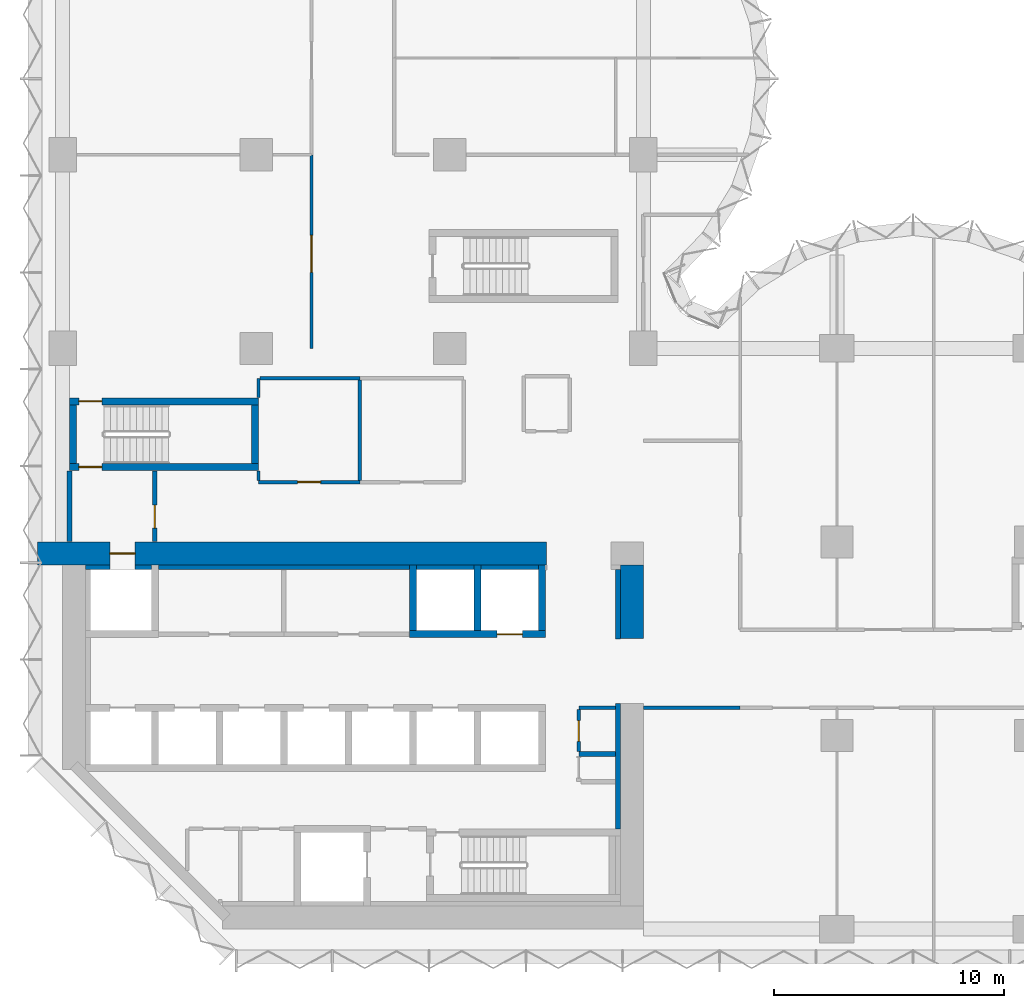
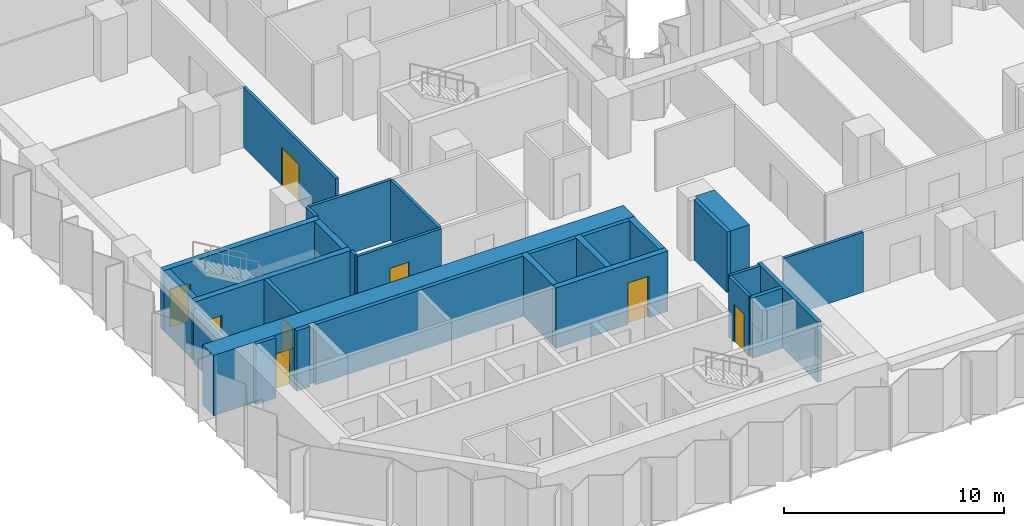
# One storey, part 8 of 15: 29 walls, 8 doors, 8 openings.
"""IFC4 building model written with IfcOpenShell, lengths in metres."""

from ifc_helpers import new_model, si_unit, direction, frame, frame_2d, origin, place, context, subcontext, project, spatial, rectangle, extrude, material, layer, layer_set, type_object, element, fill, save


model = new_model("IFC4")

# Units and contexts
model_context = context("Model", 3, precision=1e-05, world=origin(), true_north=direction((0.0, 1.0)))
body_context = subcontext(model_context, "Body", "Model", "MODEL_VIEW")
ifc_project = project(units=[si_unit("LENGTHUNIT", "METRE"), si_unit("AREAUNIT", "SQUARE_METRE"), si_unit("VOLUMEUNIT", "CUBIC_METRE"), si_unit("PLANEANGLEUNIT", "RADIAN"), si_unit("MASSUNIT", "GRAM", prefix="KILO")], contexts=[model_context])

# Site, building, storey
site_placement = place(None, origin())
site = spatial("IfcSite", under=ifc_project, at=site_placement, CompositionType="ELEMENT")
building_placement = place(site_placement, origin())
building = spatial("IfcBuilding", under=site, at=building_placement, Name="Brevane Broadcast Tower", CompositionType="ELEMENT")
storey_placement = place(building_placement, frame((0.0, 0.0, 72.5)))
storey = spatial("IfcBuildingStorey", under=building, at=storey_placement, Name="L16", CompositionType="ELEMENT", Elevation=72.5)

# Walls
ifc_material_1 = material(Name="Concrete C32/40", Category="concrete")
ifc_layer_1 = layer(ifc_material_1, 0.199951171875)
ifc_layer_set_1 = layer_set([ifc_layer_1], Name="Core chase wall 200 mm")
wall_type_1 = type_object("IfcWallType", Name="Core chase wall 200 mm", PredefinedType="PARTITIONING", material=ifc_layer_set_1)
wall_1_placement = place(storey_placement, frame((24.10009765625, 12.60009765625, 0.0), z_axis=(0.0, 0.0, 1.0), x_axis=(0.0, 1.0, 0.0)))
element("IfcWall", 1, at=wall_1_placement, inside=storey, type_object=wall_type_1, Name="L16 chase wall LE2", PredefinedType="PARTITIONING", context=body_context, shape_type="SweptSolid", body=[
    extrude(rectangle(XDim=3.0, YDim=0.199951171875, at=frame_2d((1.5, 0.0))), origin(), (0.0, 0.0, 1.0), 3.35009765625),
])
wall_2_placement = place(storey_placement, frame((1.0, 15.699951171875, 0.0), z_axis=(0.0, 0.0, 1.0), x_axis=(1.0, 0.0, 0.0)))
element("IfcWall", 2, at=wall_2_placement, inside=storey, type_object=wall_type_1, Name="L16 chase wall LN0", PredefinedType="PARTITIONING", context=body_context, shape_type="SweptSolid", body=[
    extrude(rectangle(XDim=1.050048828125, YDim=0.199951171875, at=frame_2d((0.52490234375, 0.0))), origin(), (0.0, 0.0, 1.0), 3.35009765625),
])
wall_3_placement = place(storey_placement, frame((3.14990234375, 15.699951171875, 0.0), z_axis=(0.0, 0.0, 1.0), x_axis=(1.0, 0.0, 0.0)))
element("IfcWall", 3, at=wall_3_placement, inside=storey, type_object=wall_type_1, Name="L16 chase wall LN1-1", PredefinedType="PARTITIONING", context=body_context, shape_type="SweptSolid", body=[
    extrude(rectangle(XDim=0.7001953125, YDim=0.199951171875, at=frame_2d((0.35009765625, 0.0))), origin(), (0.0, 0.0, 1.0), 3.35009765625),
])
wall_4_placement = place(storey_placement, frame((4.14990234375, 15.699951171875, 0.0), z_axis=(0.0, 0.0, 1.0), x_axis=(1.0, 0.0, 0.0)))
element("IfcWall", 4, at=wall_4_placement, inside=storey, type_object=wall_type_1, Name="L16 chase wall LN1-2-1", PredefinedType="PARTITIONING", context=body_context, shape_type="SweptSolid", body=[
    extrude(rectangle(XDim=10.900146484375, YDim=0.199951171875, at=frame_2d((5.4501953125, 0.0))), origin(), (0.0, 0.0, 1.0), 3.35009765625),
])
for number, where, z_axis, x_axis, name in (
    (5, (15.35009765625, 15.699951171875, 0.0), (0.0, 0.0, 1.0), (1.0, 0.0, 0.0), "L16 chase wall LN1-2-2-1"),
    (6, (18.14990234375, 15.699951171875, 0.0), (0.0, 0.0, 1.0), (1.0, 0.0, 0.0), "L16 chase wall LN1-2-2-2-1"),
):
    element("IfcWall", number, at=place(storey_placement, frame(where, z_axis=z_axis, x_axis=x_axis)), inside=storey, type_object=wall_type_1, Name=name, PredefinedType="PARTITIONING", context=body_context, shape_type="SweptSolid", body=[
        extrude(rectangle(XDim=2.5, YDim=0.199951171875, at=frame_2d((1.25, 0.0))), origin(), (0.0, 0.0, 1.0), 3.35009765625),
    ])
wall_5_placement = place(storey_placement, frame((24.10009765625, 4.35009765625, 0.0), z_axis=(0.0, 0.0, 1.0), x_axis=(0.0, 1.0, 0.0)))
element("IfcWall", 7, at=wall_5_placement, inside=storey, type_object=wall_type_1, Name="L16 chase wall LE1-2-2", PredefinedType="PARTITIONING", context=body_context, shape_type="SweptSolid", body=[
    extrude(rectangle(XDim=5.449951171875, YDim=0.199951171875, at=frame_2d((2.72509765625, 0.0))), origin(), (0.0, 0.0, 1.0), 3.35009765625),
])

# Wall, opening, door
ifc_material_2 = material(Name="Gypsum board on steel studs", Category="steel")
ifc_layer_2 = layer(ifc_material_2, 0.14990234375)
ifc_layer_set_2 = layer_set([ifc_layer_2], Name="Core fire partition 150 mm")
wall_type_2 = type_object("IfcWallType", Name="Core fire partition 150 mm", PredefinedType="PARTITIONING", material=ifc_layer_set_2)
wall_6_placement = place(storey_placement, frame((12.89990234375, 19.39990234375, 0.0), z_axis=(0.0, 0.0, 1.0), x_axis=(-1.0, 0.0, 0.0)))
wall_6 = element("IfcWall", 8, at=wall_6_placement, inside=storey, type_object=wall_type_2, Name="L16 partition wall P15", PredefinedType="PARTITIONING", context=body_context, shape_type="SweptSolid", body=[
    extrude(rectangle(XDim=4.39990234375, YDim=0.14990234375, at=frame_2d((2.199951171875, 0.0))), origin(), (0.0, 0.0, 1.0), 3.35009765625),
])
opening_1_placement = place(wall_6_placement, frame((1.699951171875, 0.0, 0.0)))
opening_1 = element("IfcOpeningElement", 9, at=opening_1_placement, cuts=wall_6, Name="Opening L16-K25", PredefinedType="OPENING", context=body_context, shape_type="SweptSolid", body=[
    extrude(rectangle(XDim=1.0, YDim=2.10009765625, at=frame_2d((0.5, 1.050048828125))), frame((0.0, 0.0849609375, 0.0), z_axis=(0.0, -1.0, 0.0), x_axis=(1.0, 0.0, 0.0)), (0.0, 0.0, 1.0), 0.169921875),
])
ifc_material_3 = material(Name="Steel", Category="steel")
door_type_1 = type_object("IfcDoorType", Name="Service room door 1000 x 2100", OperationType="SINGLE_SWING_LEFT", PredefinedType="DOOR", material=ifc_material_3)
door_1_placement = place(opening_1_placement, origin())
door_1 = element("IfcDoor", 10, at=door_1_placement, inside=storey, type_object=door_type_1, Name="Door L16-K25", OperationType="SINGLE_SWING_RIGHT", OverallHeight=2.10009765625, OverallWidth=1.0, PredefinedType="DOOR", context=body_context, shape_type="SweptSolid", body=[
    extrude(rectangle(XDim=1.0, YDim=2.10009765625, at=frame_2d((0.5, 1.050048828125))), frame((0.0, 0.02490234375, 0.0), z_axis=(0.0, -1.0, 0.0), x_axis=(1.0, 0.0, 0.0)), (0.0, 0.0, 1.0), 0.050048828125),
])
fill(opening_1, door_1)

# Walls
wall_7_placement = place(storey_placement, frame((8.5, 19.47509765625, 0.0), z_axis=(0.0, 0.0, 1.0), x_axis=(0.0, 1.0, 0.0)))
element("IfcWall", 11, at=wall_7_placement, inside=storey, type_object=wall_type_2, Name="L16 partition wall P16", PredefinedType="PARTITIONING", context=body_context, shape_type="SweptSolid", body=[
    extrude(rectangle(XDim=0.412841796875, YDim=0.14990234375, at=frame_2d((0.20654296875, 0.0))), origin(), (0.0, 0.0, 1.0), 3.35009765625),
])
wall_8_placement = place(storey_placement, frame((8.5, 23.06201171875, 0.0), z_axis=(0.0, 0.0, 1.0), x_axis=(0.0, 1.0, 0.0)))
element("IfcWall", 12, at=wall_8_placement, inside=storey, type_object=wall_type_2, Name="L16 partition wall P17", PredefinedType="PARTITIONING", context=body_context, shape_type="SweptSolid", body=[
    extrude(rectangle(XDim=0.837890625, YDim=0.14990234375, at=frame_2d((0.4189453125, 0.0))), origin(), (0.0, 0.0, 1.0), 3.35009765625),
])
wall_9_placement = place(storey_placement, frame((8.574951171875, 23.89990234375, 0.0), z_axis=(0.0, 0.0, 1.0), x_axis=(1.0, 0.0, 0.0)))
element("IfcWall", 13, at=wall_9_placement, inside=storey, type_object=wall_type_2, Name="L16 partition wall P18", PredefinedType="PARTITIONING", context=body_context, shape_type="SweptSolid", body=[
    extrude(rectangle(XDim=4.324951171875, YDim=0.14990234375, at=frame_2d((2.16259765625, 0.0))), origin(), (0.0, 0.0, 1.0), 3.35009765625),
])
wall_10_placement = place(storey_placement, frame((12.89990234375, 23.824951171875, 0.0), z_axis=(0.0, 0.0, 1.0), x_axis=(0.0, -1.0, 0.0)))
element("IfcWall", 14, at=wall_10_placement, inside=storey, type_object=wall_type_2, Name="L16 partition wall P22", PredefinedType="PARTITIONING", context=body_context, shape_type="SweptSolid", body=[
    extrude(rectangle(XDim=4.349853515625, YDim=0.14990234375, at=frame_2d((2.1748046875, 0.0))), origin(), (0.0, 0.0, 1.0), 3.35009765625),
])
wall_11_placement = place(storey_placement, frame((23.988037109375, 9.60009765625, 0.0), z_axis=(0.0, 0.0, 1.0), x_axis=(-1.0, 0.0, 0.0)))
element("IfcWall", 15, at=wall_11_placement, inside=storey, type_object=wall_type_2, Name="L16 partition wall P23", PredefinedType="PARTITIONING", context=body_context, shape_type="SweptSolid", body=[
    extrude(rectangle(XDim=1.588134765625, YDim=0.14990234375, at=frame_2d((0.7939453125, 0.0))), origin(), (0.0, 0.0, 1.0), 3.35009765625),
])

# Wall, opening, door
wall_12_placement = place(storey_placement, frame((22.39990234375, 9.52490234375, 0.0), z_axis=(0.0, 0.0, 1.0), x_axis=(0.0, -1.0, 0.0)))
wall_12 = element("IfcWall", 16, at=wall_12_placement, inside=storey, type_object=wall_type_2, Name="L16 partition wall P24", PredefinedType="PARTITIONING", context=body_context, shape_type="SweptSolid", body=[
    extrude(rectangle(XDim=1.824951171875, YDim=0.14990234375, at=frame_2d((0.91259765625, 0.0))), origin(), (0.0, 0.0, 1.0), 3.35009765625),
])
opening_2_placement = place(wall_12_placement, frame((0.47509765625, 0.0, 0.0)))
opening_2 = element("IfcOpeningElement", 17, at=opening_2_placement, cuts=wall_12, Name="Opening L16-K20", PredefinedType="OPENING", context=body_context, shape_type="SweptSolid", body=[
    extrude(rectangle(XDim=0.89990234375, YDim=2.10009765625, at=frame_2d((0.449951171875, 1.050048828125))), frame((0.0, 0.0849609375, 0.0), z_axis=(0.0, -1.0, 0.0), x_axis=(1.0, 0.0, 0.0)), (0.0, 0.0, 1.0), 0.169921875),
])
door_type_2 = type_object("IfcDoorType", Name="Service room door 900 x 2100", OperationType="SINGLE_SWING_LEFT", PredefinedType="DOOR", material=ifc_material_3)
door_2_placement = place(opening_2_placement, origin())
door_2 = element("IfcDoor", 18, at=door_2_placement, inside=storey, type_object=door_type_2, Name="Door L16-K20", OperationType="SINGLE_SWING_LEFT", OverallHeight=2.10009765625, OverallWidth=0.89990234375, PredefinedType="DOOR", context=body_context, shape_type="SweptSolid", body=[
    extrude(rectangle(XDim=0.89990234375, YDim=2.10009765625, at=frame_2d((0.449951171875, 1.050048828125))), frame((0.0, 0.02490234375, 0.0), z_axis=(0.0, -1.0, 0.0), x_axis=(1.0, 0.0, 0.0)), (0.0, 0.0, 1.0), 0.050048828125),
])
fill(opening_2, door_2)

# Wall
ifc_layer_3 = layer(ifc_material_2, 0.199951171875)
ifc_layer_set_3 = layer_set([ifc_layer_3], Name="Core fire partition 200 mm")
wall_type_3 = type_object("IfcWallType", Name="Core fire partition 200 mm", PredefinedType="PARTITIONING", material=ifc_layer_set_3)
wall_13_placement = place(storey_placement, frame((0.300048828125, 16.81201171875, 0.0), z_axis=(0.0, 0.0, 1.0), x_axis=(0.0, 1.0, 0.0)))
element("IfcWall", 19, at=wall_13_placement, inside=storey, type_object=wall_type_3, Name="L16 partition wall P01", PredefinedType="PARTITIONING", context=body_context, shape_type="SweptSolid", body=[
    extrude(rectangle(XDim=3.075927734375, YDim=0.199951171875, at=frame_2d((1.5380859375, 0.0))), origin(), (0.0, 0.0, 1.0), 2.97998046875),
])

# Wall, opening, door
wall_14_placement = place(storey_placement, frame((4.0, 19.887939453125, 0.0), z_axis=(0.0, 0.0, 1.0), x_axis=(0.0, -1.0, 0.0)))
wall_14 = element("IfcWall", 20, at=wall_14_placement, inside=storey, type_object=wall_type_3, Name="L16 partition wall P02", PredefinedType="PARTITIONING", context=body_context, shape_type="SweptSolid", body=[
    extrude(rectangle(XDim=3.075927734375, YDim=0.199951171875, at=frame_2d((1.5380859375, 0.0))), origin(), (0.0, 0.0, 1.0), 3.35009765625),
])
opening_3_placement = place(wall_14_placement, frame((1.488037109375, 0.0, 0.0)))
opening_3 = element("IfcOpeningElement", 21, at=opening_3_placement, cuts=wall_14, Name="Opening L16-K23", PredefinedType="OPENING", context=body_context, shape_type="SweptSolid", body=[
    extrude(rectangle(XDim=1.0, YDim=2.10009765625, at=frame_2d((0.5, 1.050048828125))), frame((0.0, 0.10986328125, 0.0), z_axis=(0.0, -1.0, 0.0), x_axis=(1.0, 0.0, 0.0)), (0.0, 0.0, 1.0), 0.219970703125),
])
door_type_3 = type_object("IfcDoorType", Name="Stair door 1000 x 2100", OperationType="SINGLE_SWING_LEFT", PredefinedType="DOOR", material=ifc_material_3)
door_3_placement = place(opening_3_placement, origin())
door_3 = element("IfcDoor", 22, at=door_3_placement, inside=storey, type_object=door_type_3, Name="Door L16-K23", OperationType="SINGLE_SWING_RIGHT", OverallHeight=2.10009765625, OverallWidth=1.0, PredefinedType="DOOR", context=body_context, shape_type="SweptSolid", body=[
    extrude(rectangle(XDim=1.0, YDim=2.10009765625, at=frame_2d((0.5, 1.050048828125))), frame((0.0, 0.02490234375, 0.0), z_axis=(0.0, -1.0, 0.0), x_axis=(1.0, 0.0, 0.0)), (0.0, 0.0, 1.0), 0.050048828125),
])
fill(opening_3, door_3)

# Wall
wall_15_placement = place(storey_placement, frame((23.988037109375, 7.60009765625, 0.0), z_axis=(0.0, 0.0, 1.0), x_axis=(-1.0, 0.0, 0.0)))
element("IfcWall", 23, at=wall_15_placement, inside=storey, type_object=wall_type_3, Name="L16 partition wall P07", PredefinedType="PARTITIONING", context=body_context, shape_type="SweptSolid", body=[
    extrude(rectangle(XDim=1.588134765625, YDim=0.199951171875, at=frame_2d((0.7939453125, 0.0))), origin(), (0.0, 0.0, 1.0), 3.35009765625),
])

# Wall, opening, door
ifc_material_4 = material(Name="Concrete C80/95", Category="concrete")
ifc_layer_4 = layer(ifc_material_4, 1.0)
ifc_layer_set_4 = layer_set([ifc_layer_4], Name="Core wall 1000 mm C80/95")
wall_type_4 = type_object("IfcWallType", Name="Core wall 1000 mm C80/95", PredefinedType="SHEAR", material=ifc_layer_set_4)
wall_16_placement = place(storey_placement, frame((-1.10009765625, 16.300048828125, 0.0), z_axis=(0.0, 0.0, 1.0), x_axis=(1.0, 0.0, 0.0)))
wall_16 = element("IfcWall", 24, at=wall_16_placement, inside=storey, type_object=wall_type_4, Name="L16 outer wall WN1", PredefinedType="SHEAR", context=body_context, shape_type="SweptSolid", body=[
    extrude(rectangle(XDim=22.10009765625, YDim=1.0, at=frame_2d((11.050048828125, 0.0))), origin(), (0.0, 0.0, 1.0), 3.35009765625),
])
opening_4_placement = place(wall_16_placement, frame((3.14990234375, 0.0, 0.0)))
opening_4 = element("IfcOpeningElement", 25, at=opening_4_placement, cuts=wall_16, Name="Opening LD", PredefinedType="OPENING", context=body_context, shape_type="SweptSolid", body=[
    extrude(rectangle(XDim=1.10009765625, YDim=2.300048828125, at=frame_2d((0.550048828125, 1.14990234375))), frame((0.0, 0.510009765625, 0.0), z_axis=(0.0, -1.0, 0.0), x_axis=(1.0, 0.0, 0.0)), (0.0, 0.0, 1.0), 1.02001953125),
])
ifc_material_5 = material(Name="Stainless steel", Category="steel")
door_type_4 = type_object("IfcDoorType", Name="Lift landing door", OperationType="SLIDING_TO_LEFT", PredefinedType="DOOR", material=ifc_material_5)
door_4_placement = place(opening_4_placement, origin())
door_4 = element("IfcDoor", 26, at=door_4_placement, inside=storey, type_object=door_type_4, Name="Landing door FF1 L16", OperationType="SLIDING_TO_LEFT", OverallHeight=2.300048828125, OverallWidth=1.10009765625, PredefinedType="DOOR", context=body_context, shape_type="SweptSolid", body=[
    extrude(rectangle(XDim=1.10009765625, YDim=2.300048828125, at=frame_2d((0.550048828125, 1.14990234375))), frame((0.0, 0.02490234375, 0.0), z_axis=(0.0, -1.0, 0.0), x_axis=(1.0, 0.0, 0.0)), (0.0, 0.0, 1.0), 0.050048828125),
])
fill(opening_4, door_4)

# Wall
wall_17_placement = place(storey_placement, frame((24.699951171875, 12.60009765625, 0.0), z_axis=(0.0, 0.0, 1.0), x_axis=(0.0, 1.0, 0.0)))
element("IfcWall", 27, at=wall_17_placement, inside=storey, type_object=wall_type_4, Name="L16 outer wall WE2", PredefinedType="SHEAR", context=body_context, shape_type="SweptSolid", body=[
    extrude(rectangle(XDim=3.199951171875, YDim=1.0, at=frame_2d((1.60009765625, 0.0))), origin(), (0.0, 0.0, 1.0), 3.35009765625),
])

# Wall, opening, door
ifc_layer_5 = layer(ifc_material_4, 0.300048828125)
ifc_layer_set_5 = layer_set([ifc_layer_5], Name="Core wall 300 mm C80/95")
wall_type_5 = type_object("IfcWallType", Name="Core wall 300 mm C80/95", PredefinedType="SHEAR", material=ifc_layer_set_5)
wall_18_placement = place(storey_placement, frame((15.050048828125, 12.800048828125, 0.0), z_axis=(0.0, 0.0, 1.0), x_axis=(1.0, 0.0, 0.0)))
wall_18 = element("IfcWall", 28, at=wall_18_placement, inside=storey, type_object=wall_type_5, Name="L16 shaft wall SH-N152-front", PredefinedType="SHEAR", context=body_context, shape_type="SweptSolid", body=[
    extrude(rectangle(XDim=5.89990234375, YDim=0.300048828125, at=frame_2d((2.949951171875, 0.0))), origin(), (0.0, 0.0, 1.0), 3.35009765625),
])
opening_5_placement = place(wall_18_placement, frame((3.800048828125, 0.0, 0.0)))
opening_5 = element("IfcOpeningElement", 29, at=opening_5_placement, cuts=wall_18, Name="Opening LD", PredefinedType="OPENING", context=body_context, shape_type="SweptSolid", body=[
    extrude(rectangle(XDim=1.10009765625, YDim=2.300048828125, at=frame_2d((0.550048828125, 1.14990234375))), frame((0.0, 0.159912109375, 0.0), z_axis=(0.0, -1.0, 0.0), x_axis=(1.0, 0.0, 0.0)), (0.0, 0.0, 1.0), 0.320068359375),
])
door_5_placement = place(opening_5_placement, origin())
door_5 = element("IfcDoor", 30, at=door_5_placement, inside=storey, type_object=door_type_4, Name="Landing door SL1 L16", OperationType="SLIDING_TO_LEFT", OverallHeight=2.300048828125, OverallWidth=1.10009765625, PredefinedType="DOOR", context=body_context, shape_type="SweptSolid", body=[
    extrude(rectangle(XDim=1.10009765625, YDim=2.300048828125, at=frame_2d((0.550048828125, 1.14990234375))), frame((0.0, 0.02490234375, 0.0), z_axis=(0.0, -1.0, 0.0), x_axis=(1.0, 0.0, 0.0)), (0.0, 0.0, 1.0), 0.050048828125),
])
fill(opening_5, door_5)

# Walls
for number, where, z_axis, x_axis, name in (
    (31, (15.199951171875, 12.949951171875, 0.0), (0.0, 0.0, 1.0), (0.0, 1.0, 0.0), "L16 shaft wall SH-N-P152"),
    (32, (18.0, 12.949951171875, 0.0), (0.0, 0.0, 1.0), (0.0, 1.0, 0.0), "L16 shaft wall SH-N-P180"),
    (33, (20.800048828125, 12.949951171875, 0.0), (0.0, 0.0, 1.0), (0.0, 1.0, 0.0), "L16 shaft wall SH-N-P208"),
):
    element("IfcWall", number, at=place(storey_placement, frame(where, z_axis=z_axis, x_axis=x_axis)), inside=storey, type_object=wall_type_5, Name=name, PredefinedType="SHEAR", context=body_context, shape_type="SweptSolid", body=[
        extrude(rectangle(XDim=2.85009765625, YDim=0.300048828125, at=frame_2d((1.425048828125, 0.0))), origin(), (0.0, 0.0, 1.0), 3.35009765625),
    ])

# Wall, opening, door
wall_19_placement = place(storey_placement, frame((8.5, 20.050048828125, 0.0), z_axis=(0.0, 0.0, 1.0), x_axis=(-1.0, 0.0, 0.0)))
wall_19 = element("IfcWall", 34, at=wall_19_placement, inside=storey, type_object=wall_type_5, Name="L16 stair wall ST-1-S", PredefinedType="SHEAR", context=body_context, shape_type="SweptSolid", body=[
    extrude(rectangle(XDim=8.199951171875, YDim=0.300048828125, at=frame_2d((4.10009765625, 0.0))), origin(), (0.0, 0.0, 1.0), 3.35009765625),
])
opening_6_placement = place(wall_19_placement, frame((6.800048828125, 0.0, 0.0)))
opening_6 = element("IfcOpeningElement", 35, at=opening_6_placement, cuts=wall_19, Name="Opening L16-K10", PredefinedType="OPENING", context=body_context, shape_type="SweptSolid", body=[
    extrude(rectangle(XDim=1.0, YDim=2.10009765625, at=frame_2d((0.5, 1.050048828125))), frame((0.0, 0.159912109375, 0.0), z_axis=(0.0, -1.0, 0.0), x_axis=(1.0, 0.0, 0.0)), (0.0, 0.0, 1.0), 0.320068359375),
])
door_6_placement = place(opening_6_placement, origin())
door_6 = element("IfcDoor", 36, at=door_6_placement, inside=storey, type_object=door_type_3, Name="Door L16-K10", OperationType="SINGLE_SWING_LEFT", OverallHeight=2.10009765625, OverallWidth=1.0, PredefinedType="DOOR", context=body_context, shape_type="SweptSolid", body=[
    extrude(rectangle(XDim=1.0, YDim=2.10009765625, at=frame_2d((0.5, 1.050048828125))), frame((0.0, 0.02490234375, 0.0), z_axis=(0.0, -1.0, 0.0), x_axis=(1.0, 0.0, 0.0)), (0.0, 0.0, 1.0), 0.050048828125),
])
fill(opening_6, door_6)

wall_20_placement = place(storey_placement, frame((0.300048828125, 22.89990234375, 0.0), z_axis=(0.0, 0.0, 1.0), x_axis=(1.0, 0.0, 0.0)))
wall_20 = element("IfcWall", 37, at=wall_20_placement, inside=storey, type_object=wall_type_5, Name="L16 stair wall ST-1-N", PredefinedType="SHEAR", context=body_context, shape_type="SweptSolid", body=[
    extrude(rectangle(XDim=8.199951171875, YDim=0.300048828125, at=frame_2d((4.10009765625, 0.0))), origin(), (0.0, 0.0, 1.0), 3.35009765625),
])
opening_7_placement = place(wall_20_placement, frame((0.39990234375, 0.0, 0.0)))
opening_7 = element("IfcOpeningElement", 38, at=opening_7_placement, cuts=wall_20, Name="Opening L16-K11", PredefinedType="OPENING", context=body_context, shape_type="SweptSolid", body=[
    extrude(rectangle(XDim=1.0, YDim=2.10009765625, at=frame_2d((0.5, 1.050048828125))), frame((0.0, 0.159912109375, 0.0), z_axis=(0.0, -1.0, 0.0), x_axis=(1.0, 0.0, 0.0)), (0.0, 0.0, 1.0), 0.320068359375),
])
door_7_placement = place(opening_7_placement, origin())
door_7 = element("IfcDoor", 39, at=door_7_placement, inside=storey, type_object=door_type_3, Name="Door L16-K11", OperationType="SINGLE_SWING_RIGHT", OverallHeight=2.10009765625, OverallWidth=1.0, PredefinedType="DOOR", context=body_context, shape_type="SweptSolid", body=[
    extrude(rectangle(XDim=1.0, YDim=2.10009765625, at=frame_2d((0.5, 1.050048828125))), frame((0.0, 0.02490234375, 0.0), z_axis=(0.0, -1.0, 0.0), x_axis=(1.0, 0.0, 0.0)), (0.0, 0.0, 1.0), 0.050048828125),
])
fill(opening_7, door_7)

# Walls
for number, where, z_axis, x_axis, name in (
    (40, (0.449951171875, 20.199951171875, 0.0), (0.0, 0.0, 1.0), (0.0, 1.0, 0.0), "L16 stair wall ST-1-W"),
    (41, (8.35009765625, 20.199951171875, 0.0), (0.0, 0.0, 1.0), (0.0, 1.0, 0.0), "L16 stair wall ST-1-E"),
):
    element("IfcWall", number, at=place(storey_placement, frame(where, z_axis=z_axis, x_axis=x_axis)), inside=storey, type_object=wall_type_5, Name=name, PredefinedType="SHEAR", context=body_context, shape_type="SweptSolid", body=[
        extrude(rectangle(XDim=2.550048828125, YDim=0.300048828125, at=frame_2d((1.27490234375, 0.0))), origin(), (0.0, 0.0, 1.0), 3.35009765625),
    ])
ifc_material_6 = material(Name="Gypsum board partition")
ifc_layer_6 = layer(ifc_material_6, 0.14990234375)
ifc_layer_set_6 = layer_set([ifc_layer_6], Name="PARTITION 150 EI 60")
wall_type_6 = type_object("IfcWallType", Name="PARTITION 150 EI 60", PredefinedType="PARTITIONING", material=ifc_layer_set_6)
wall_21_placement = place(storey_placement, frame((29.39990234375, 9.60009765625, 0.0), z_axis=(0.0, 0.0, 1.0), x_axis=(-1.0, 0.0, 0.0)))
element("IfcWall", 42, at=wall_21_placement, inside=storey, type_object=wall_type_6, Name="Partition G04-002", PredefinedType="PARTITIONING", context=body_context, shape_type="SweptSolid", body=[
    extrude(rectangle(XDim=4.199951171875, YDim=0.14990234375, at=frame_2d((2.10009765625, 0.0))), origin(), (0.0, 0.0, 1.0), 3.330078125),
])

# Wall, opening, door
wall_22_placement = place(storey_placement, frame((10.800048828125, 25.199951171875, 0.0), z_axis=(0.0, 0.0, 1.0), x_axis=(0.0, 1.0, 0.0)))
wall_22 = element("IfcWall", 43, at=wall_22_placement, inside=storey, type_object=wall_type_6, Name="Partition G04-037", PredefinedType="PARTITIONING", context=body_context, shape_type="SweptSolid", body=[
    extrude(rectangle(XDim=8.400146484375, YDim=0.14990234375, at=frame_2d((4.2001953125, 0.0))), origin(), (0.0, 0.0, 1.0), 3.330078125),
])
opening_8_placement = place(wall_22_placement, frame((3.300048828125, 0.0, 0.0)))
opening_8 = element("IfcOpeningElement", 44, at=opening_8_placement, cuts=wall_22, Name="Opening D10-015", PredefinedType="OPENING", context=body_context, shape_type="SweptSolid", body=[
    extrude(rectangle(XDim=1.60009765625, YDim=2.10009765625, at=frame_2d((0.800048828125, 1.050048828125))), frame((0.0, 0.0849609375, 0.0), z_axis=(0.0, -1.0, 0.0), x_axis=(1.0, 0.0, 0.0)), (0.0, 0.0, 1.0), 0.169921875),
])
ifc_material_7 = material(Name="Fire-rated timber door leaf", Category="wood")
door_type_5 = type_object("IfcDoorType", Name="DOOR DOUBLE 1600 FD30S", OperationType="DOUBLE_DOOR_SINGLE_SWING", PredefinedType="DOOR", material=ifc_material_7)
door_8_placement = place(opening_8_placement, origin())
door_8 = element("IfcDoor", 45, at=door_8_placement, inside=storey, type_object=door_type_5, Name="Door D10-015", OperationType="DOUBLE_DOOR_SINGLE_SWING", OverallHeight=2.10009765625, OverallWidth=1.60009765625, PredefinedType="DOOR", context=body_context, shape_type="SweptSolid", body=[
    extrude(rectangle(XDim=1.60009765625, YDim=2.10009765625, at=frame_2d((0.800048828125, 1.050048828125))), frame((0.0, 0.02490234375, 0.0), z_axis=(0.0, -1.0, 0.0), x_axis=(1.0, 0.0, 0.0)), (0.0, 0.0, 1.0), 0.050048828125),
])
fill(opening_8, door_8)

save(model, "model.ifc")
